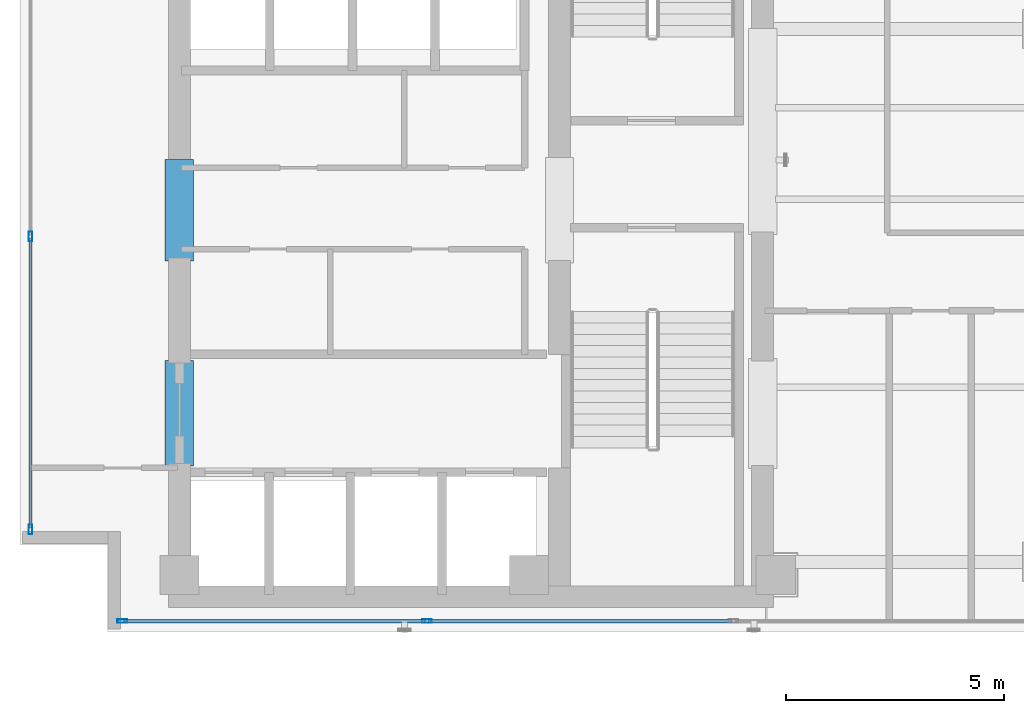
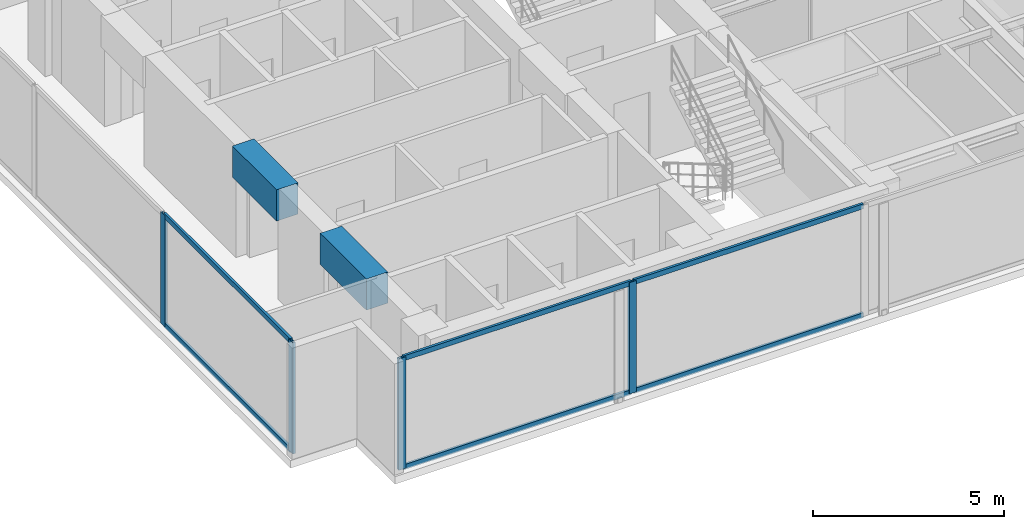
# One storey, part 2 of 22: 10 members, 2 beams, 2 elements without a shape of their own.
"""IFC4 building model written with IfcOpenShell, lengths in metres."""

from ifc_helpers import new_model, si_unit, direction, frame, origin, origin_with_axes, origin_2d, place, context, subcontext, project, spatial, rectangle, hollow_rectangle, extrude, source, transform, mapped, material, layer, layer_set, material_profile, profile_set, type_object, element, aggregate, save


model = new_model("IFC4")

# Units and contexts
model_context = context("Model", 3, precision=1e-05, world=origin(), true_north=direction((0.0, 1.0)))
body_context = subcontext(model_context, "Body", "Model", "MODEL_VIEW")
ifc_project = project(units=[si_unit("LENGTHUNIT", "METRE"), si_unit("AREAUNIT", "SQUARE_METRE"), si_unit("VOLUMEUNIT", "CUBIC_METRE"), si_unit("PLANEANGLEUNIT", "RADIAN"), si_unit("MASSUNIT", "GRAM", prefix="KILO")], contexts=[model_context])

# Site, building, storey
site_placement = place(None, origin())
site = spatial("IfcSite", under=ifc_project, at=site_placement, CompositionType="ELEMENT")
building_placement = place(site_placement, origin())
building = spatial("IfcBuilding", under=site, at=building_placement, Name="Kolvaren Waterfront Exchange", CompositionType="ELEMENT")
storey_placement = place(building_placement, frame((0.0, 0.0, 274.199951171875)))
storey = spatial("IfcBuildingStorey", under=building, at=storey_placement, Name="L70", CompositionType="ELEMENT", Elevation=274.199951171875)

# Beams
ifc_material_1 = material(Name="Concrete C60/75", Category="concrete")
ifc_material_profile_1 = material_profile(ifc_material_1, rectangle(XDim=0.64990234375, YDim=1.0, at=origin_2d()), Name="RC-CB-1000x650")
ifc_profile_set_1 = profile_set([ifc_material_profile_1], Name="Concrete C60/75")
beam_type = type_object("IfcBeamType", Name="STR-CB-1000", PredefinedType="SPANDREL", material=ifc_profile_set_1)
beam_1_placement = place(storey_placement, frame((7.449951171875, 7.389892578125, 3.06005859375), z_axis=(0.0, 1.0, 0.0), x_axis=(-1.0, 0.0, 0.0)))
element("IfcBeam", 1, at=beam_1_placement, inside=storey, type_object=beam_type, Name="L70 core coupling beam 3", PredefinedType="SPANDREL", context=body_context, shape_type="SweptSolid", body=[
    extrude(rectangle(XDim=0.64990234375, YDim=1.0, at=origin_2d()), origin(), (0.0, 0.0, 1.0), 2.420166015625),
])
beam_2_placement = place(storey_placement, frame((7.449951171875, 12.090087890625, 3.06005859375), z_axis=(0.0, 1.0, 0.0), x_axis=(-1.0, 0.0, 0.0)))
element("IfcBeam", 2, at=beam_2_placement, inside=storey, type_object=beam_type, Name="L70 core coupling beam 4", PredefinedType="SPANDREL", context=body_context, shape_type="SweptSolid", body=[
    extrude(rectangle(XDim=0.64990234375, YDim=1.0, at=origin_2d()), origin(), (0.0, 0.0, 1.0), 2.31982421875),
])

# Curtain wall, members
ifc_material_2 = material(Name="Anodised bronze aluminium 6063-T6", Category="aluminium")
ifc_layer_1 = layer(ifc_material_2, 0.219970703125, Name="Anodised bronze aluminium 6063-T6")
ifc_layer_set_1 = layer_set([ifc_layer_1], Name="Anodised bronze aluminium 6063-T6")
curtain_wall_type_1 = type_object("IfcCurtainWallType", Name="ARC-CW-SYS1", PredefinedType="USERDEFINED", material=ifc_layer_set_1)
curtain_wall_1_placement = place(storey_placement, origin())
curtain_wall_1 = element("IfcCurtainWall", 3, at=curtain_wall_1_placement, inside=storey, type_object=curtain_wall_type_1, Name="L70 stick curtain wall CW1 (CW-L70-S)", ObjectType="STICK CURTAIN WALL", PredefinedType="USERDEFINED")
ifc_material_3 = material(Name="Anodised aluminium 6063-T6", Category="aluminium")
ifc_material_profile_2 = material_profile(ifc_material_3, hollow_rectangle(XDim=0.080078125, YDim=0.219970703125, WallThickness=0.0048828125, at=origin_2d()), Name="ALU-MUL-220x80x5")
ifc_profile_set_2 = profile_set([ifc_material_profile_2], Name="Anodised aluminium 6063-T6")
member_type_1 = type_object("IfcMemberType", Name="ARC-CWM-220", PredefinedType="MULLION", material=ifc_profile_set_2)
shared_shape_1 = source(origin_with_axes(), body_context, "Body", "SweptSolid", [
    extrude(hollow_rectangle(XDim=0.080078125, YDim=0.219970703125, WallThickness=0.0048828125, at=origin_2d()), origin(), (0.0, 0.0, 1.0), 3.56005859375),
])
member_1_placement = place(storey_placement, frame((6.139892578125, 3.840087890625, 0.0), z_axis=(0.0, 0.0, 1.0), x_axis=(0.0, 1.0, 0.0)))
member_1 = element("IfcMember", 4, at=member_1_placement, type_object=member_type_1, Name="CW1 mullion 1", PredefinedType="MULLION", context=body_context, shape_type="MappedRepresentation", body=[
    mapped(shared_shape_1, transform((0.0, 0.0, 0.0), x_axis=(1.0, 0.0, 0.0), y_axis=(0.0, 1.0, 0.0), z_axis=(0.0, 0.0, 1.0), scale=1.0)),
])
member_2_placement = place(storey_placement, frame((13.114990234375, 3.840087890625, 0.0), z_axis=(0.0, 0.0, 1.0), x_axis=(0.0, 1.0, 0.0)))
member_2 = element("IfcMember", 5, at=member_2_placement, type_object=member_type_1, Name="CW1 mullion 2", PredefinedType="MULLION", context=body_context, shape_type="MappedRepresentation", body=[
    mapped(shared_shape_1, transform((0.0, 0.0, 0.0), x_axis=(1.0, 0.0, 0.0), y_axis=(0.0, 1.0, 0.0), z_axis=(0.0, 0.0, 1.0), scale=1.0)),
])

ifc_layer_2 = layer(ifc_material_3, 0.219970703125, Name="Anodised aluminium 6063-T6")
ifc_layer_set_2 = layer_set([ifc_layer_2], Name="Anodised aluminium 6063-T6")
curtain_wall_type_2 = type_object("IfcCurtainWallType", Name="ARC-CW-SYS2", PredefinedType="USERDEFINED", material=ifc_layer_set_2)
curtain_wall_2_placement = place(storey_placement, origin())
curtain_wall_2 = element("IfcCurtainWall", 6, at=curtain_wall_2_placement, inside=storey, type_object=curtain_wall_type_2, Name="L70 stick curtain wall CW2 (CW-L70-W)", ObjectType="STICK CURTAIN WALL", PredefinedType="USERDEFINED")
member_3_placement = place(storey_placement, frame((4.0400390625, 5.93994140625, 0.0), z_axis=(0.0, 0.0, 1.0), x_axis=(-1.0, 0.0, 0.0)))
member_3 = element("IfcMember", 7, at=member_3_placement, type_object=member_type_1, Name="CW2 mullion 1", PredefinedType="MULLION", context=body_context, shape_type="MappedRepresentation", body=[
    mapped(shared_shape_1, transform((0.0, 0.0, 0.0), x_axis=(1.0, 0.0, 0.0), y_axis=(0.0, 1.0, 0.0), z_axis=(0.0, 0.0, 1.0), scale=1.0)),
])
member_4_placement = place(storey_placement, frame((4.0400390625, 12.648193359375, 0.0), z_axis=(0.0, 0.0, 1.0), x_axis=(-1.0, 0.0, 0.0)))
member_4 = element("IfcMember", 8, at=member_4_placement, type_object=member_type_1, Name="CW2 mullion 2", PredefinedType="MULLION", context=body_context, shape_type="MappedRepresentation", body=[
    mapped(shared_shape_1, transform((0.0, 0.0, 0.0), x_axis=(1.0, 0.0, 0.0), y_axis=(0.0, 1.0, 0.0), z_axis=(0.0, 0.0, 1.0), scale=1.0)),
])

# Member
ifc_material_profile_3 = material_profile(ifc_material_3, hollow_rectangle(XDim=0.074951171875, YDim=0.159912109375, WallThickness=0.00439453125, at=origin_2d()), Name="ALU-TRN-160x75x4.5")
ifc_profile_set_3 = profile_set([ifc_material_profile_3], Name="Anodised aluminium 6063-T6")
member_type_2 = type_object("IfcMemberType", Name="ARC-CWT-160", PredefinedType="USERDEFINED", material=ifc_profile_set_3)
shared_shape_2 = source(origin_with_axes(), body_context, "Body", "SweptSolid", [
    extrude(hollow_rectangle(XDim=0.074951171875, YDim=0.159912109375, WallThickness=0.00439453125, at=origin_2d()), origin(), (0.0, 0.0, 1.0), 6.89501953125),
])
member_5_placement = place(storey_placement, frame((6.179931640625, 3.840087890625, 0.03759765625), z_axis=(1.0, 0.0, 0.0), x_axis=(0.0, 1.0, 0.0)))
member_5 = element("IfcMember", 9, at=member_5_placement, type_object=member_type_2, Name="CW1 transom 1.1", ObjectType="TRANSOM", PredefinedType="USERDEFINED", context=body_context, shape_type="MappedRepresentation", body=[
    mapped(shared_shape_2, transform((0.0, 0.0, 0.0), x_axis=(1.0, 0.0, 0.0), y_axis=(0.0, 1.0, 0.0), z_axis=(0.0, 0.0, 1.0), scale=1.0)),
])

member_6_placement = place(storey_placement, frame((6.179931640625, 3.840087890625, 3.5224609375), z_axis=(1.0, 0.0, 0.0), x_axis=(0.0, 1.0, 0.0)))
member_6 = element("IfcMember", 10, at=member_6_placement, type_object=member_type_2, Name="CW1 transom 1.2", ObjectType="TRANSOM", PredefinedType="USERDEFINED", context=body_context, shape_type="MappedRepresentation", body=[
    mapped(shared_shape_2, transform((0.0, 0.0, 0.0), x_axis=(1.0, 0.0, 0.0), y_axis=(0.0, 1.0, 0.0), z_axis=(0.0, 0.0, 1.0), scale=1.0)),
])

shared_shape_3 = source(origin_with_axes(), body_context, "Body", "SweptSolid", [
    extrude(hollow_rectangle(XDim=0.074951171875, YDim=0.159912109375, WallThickness=0.00439453125, at=origin_2d()), origin(), (0.0, 0.0, 1.0), 6.934814453125),
])
member_7_placement = place(storey_placement, frame((13.155029296875, 3.840087890625, 0.03759765625), z_axis=(1.0, 0.0, 0.0), x_axis=(0.0, 1.0, 0.0)))
member_7 = element("IfcMember", 11, at=member_7_placement, type_object=member_type_2, Name="CW1 transom 2.1", ObjectType="TRANSOM", PredefinedType="USERDEFINED", context=body_context, shape_type="MappedRepresentation", body=[
    mapped(shared_shape_3, transform((0.0, 0.0, 0.0), x_axis=(1.0, 0.0, 0.0), y_axis=(0.0, 1.0, 0.0), z_axis=(0.0, 0.0, 1.0), scale=1.0)),
])

member_8_placement = place(storey_placement, frame((13.155029296875, 3.840087890625, 3.5224609375), z_axis=(1.0, 0.0, 0.0), x_axis=(0.0, 1.0, 0.0)))
member_8 = element("IfcMember", 12, at=member_8_placement, type_object=member_type_2, Name="CW1 transom 2.2", ObjectType="TRANSOM", PredefinedType="USERDEFINED", context=body_context, shape_type="MappedRepresentation", body=[
    mapped(shared_shape_3, transform((0.0, 0.0, 0.0), x_axis=(1.0, 0.0, 0.0), y_axis=(0.0, 1.0, 0.0), z_axis=(0.0, 0.0, 1.0), scale=1.0)),
])

aggregate(curtain_wall_1, [member_1, member_2, member_5, member_6, member_7, member_8])

shared_shape_4 = source(origin_with_axes(), body_context, "Body", "SweptSolid", [
    extrude(hollow_rectangle(XDim=0.074951171875, YDim=0.159912109375, WallThickness=0.00439453125, at=origin_2d()), origin(), (0.0, 0.0, 1.0), 6.628173828125),
])
member_9_placement = place(storey_placement, frame((4.0400390625, 5.97998046875, 0.03759765625), z_axis=(0.0, 1.0, 0.0), x_axis=(-1.0, 0.0, 0.0)))
member_9 = element("IfcMember", 13, at=member_9_placement, type_object=member_type_2, Name="CW2 transom 1.1", ObjectType="TRANSOM", PredefinedType="USERDEFINED", context=body_context, shape_type="MappedRepresentation", body=[
    mapped(shared_shape_4, transform((0.0, 0.0, 0.0), x_axis=(1.0, 0.0, 0.0), y_axis=(0.0, 1.0, 0.0), z_axis=(0.0, 0.0, 1.0), scale=1.0)),
])

member_10_placement = place(storey_placement, frame((4.0400390625, 5.97998046875, 3.5224609375), z_axis=(0.0, 1.0, 0.0), x_axis=(-1.0, 0.0, 0.0)))
member_10 = element("IfcMember", 14, at=member_10_placement, type_object=member_type_2, Name="CW2 transom 1.2", ObjectType="TRANSOM", PredefinedType="USERDEFINED", context=body_context, shape_type="MappedRepresentation", body=[
    mapped(shared_shape_4, transform((0.0, 0.0, 0.0), x_axis=(1.0, 0.0, 0.0), y_axis=(0.0, 1.0, 0.0), z_axis=(0.0, 0.0, 1.0), scale=1.0)),
])

aggregate(curtain_wall_2, [member_3, member_4, member_9, member_10])

save(model, "model.ifc")
